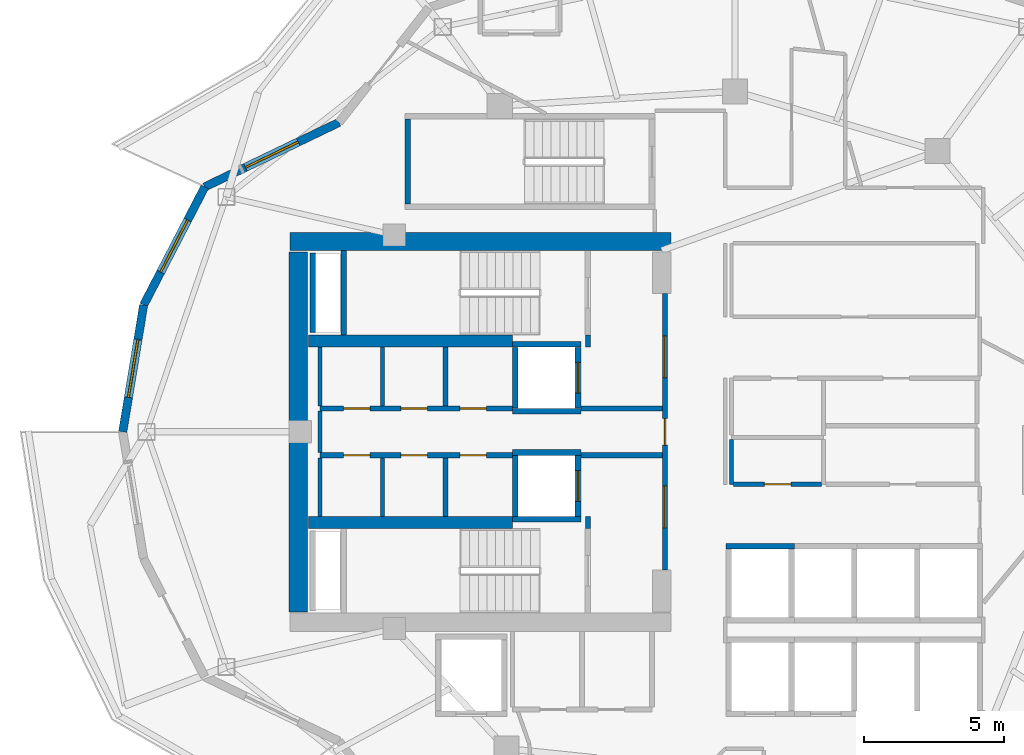
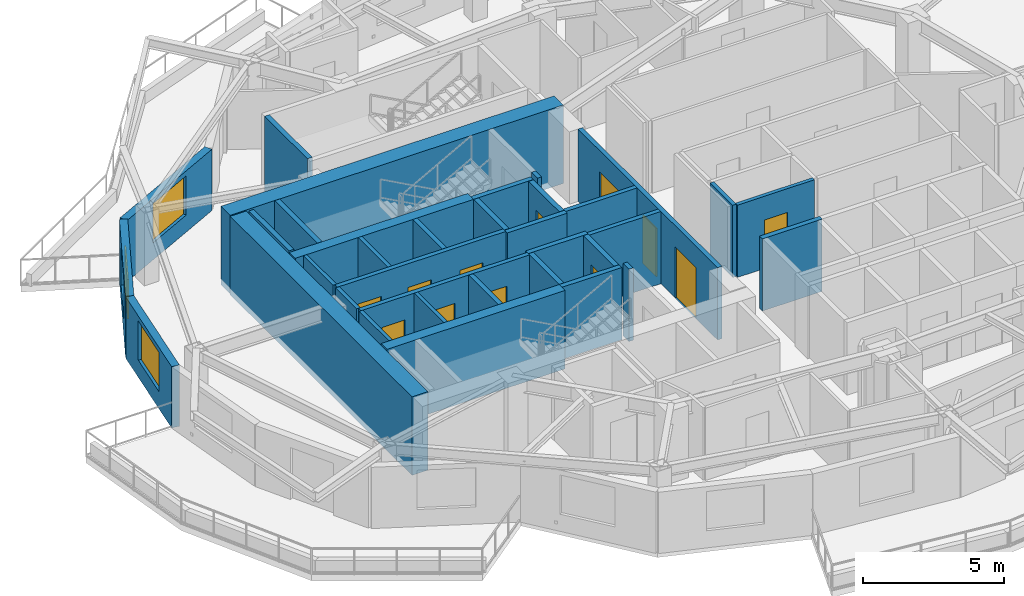
# One storey, part 4 of 14: 35 walls, 12 doors, 3 windows, 15 openings.
"""IFC4 building model written with IfcOpenShell, lengths in metres."""

import ifcopenshell
import ifcopenshell.guid

model = None  # the IFC model being written
_history = None  # IfcOwnerHistory: only IFC2X3 demands one
_inside = {}  # id of a spatial element -> (the spatial element, [elements in it])
_under = {}  # id of a project, library or spatial element -> (it, [spatial elements below it])
_declared = {}  # id of a project -> (the project, [libraries it declares])
_typed = {}  # id of a type object -> (the type object, [elements of that type])
_made_of = {}  # id of a material, layer set ... -> (it, [elements and type objects made of it])


def new_model(schema):
    """Start an empty IFC model of exactly this schema.

    Asked for "IFC4X3", IfcOpenShell would pick the latest addendum, in which some entities
    have other attributes; the version numbers below select the first issue.
    IFC2X3 requires an IfcOwnerHistory on every rooted entity: one is made here for all.
    """
    global model, _history
    if schema == "IFC4X3":
        model = ifcopenshell.file(schema_version=(4, 3, 0, 0))
    else:
        model = ifcopenshell.file(schema=schema)
    _inside.clear()
    _under.clear()
    _declared.clear()
    _typed.clear()
    _made_of.clear()
    _history = None
    if model.schema == "IFC2X3":
        org = make("IfcOrganization", Name="unknown")
        user = make(
            "IfcPersonAndOrganization",
            ThePerson=make("IfcPerson", FamilyName="unknown"),
            TheOrganization=org,
        )
        app = make(
            "IfcApplication",
            ApplicationDeveloper=org,
            Version="unknown",
            ApplicationFullName="unknown",
            ApplicationIdentifier="unknown",
        )
        _history = make(
            "IfcOwnerHistory",
            OwningUser=user,
            OwningApplication=app,
            ChangeAction="ADDED",
            CreationDate=0,
        )
    return model


def make(cls, **values):
    """One entity of the class cls with the attributes given. An attribute that is None is left unset."""
    return model.create_entity(
        cls, **{name: value for name, value in values.items() if value is not None}
    )


def rooted(cls, **values):
    """An entity with a GlobalId (a new one), such as an element, a storey or a relation."""
    return make(cls, GlobalId=ifcopenshell.guid.new(), OwnerHistory=_history, **values)


def si_unit(unit_type, name, prefix=None):
    """IfcSIUnit, for example si_unit("LENGTHUNIT", "METRE", prefix="MILLI")."""
    return make("IfcSIUnit", UnitType=unit_type, Prefix=prefix, Name=name)


def assignment(units):
    """IfcUnitAssignment: the units of a project."""
    return None if units is None else make("IfcUnitAssignment", Units=units)


def point(xyz):
    """IfcCartesianPoint."""
    return None if xyz is None else make("IfcCartesianPoint", Coordinates=xyz)


def direction(xyz):
    """IfcDirection."""
    return None if xyz is None else make("IfcDirection", DirectionRatios=xyz)


def frame(location, z_axis=None, x_axis=None):
    """IfcAxis2Placement3D, a coordinate frame: its origin and axes. An axis left out is left unset."""
    return make(
        "IfcAxis2Placement3D",
        Location=point(location),
        Axis=direction(z_axis),
        RefDirection=direction(x_axis),
    )


def frame_2d(location, x_axis=None):
    """IfcAxis2Placement2D, a coordinate frame in the plane: its origin and x axis."""
    return make(
        "IfcAxis2Placement2D", Location=point(location), RefDirection=direction(x_axis)
    )


def origin():
    """The frame at (0, 0, 0) with its axes left unset."""
    return frame((0.0, 0.0, 0.0))


def place(relative_to, where):
    """IfcLocalPlacement: puts the frame where relative to a parent placement (None: the world)."""
    return make(
        "IfcLocalPlacement", PlacementRelTo=relative_to, RelativePlacement=where
    )


def context(
    kind, dimensions, precision=None, world=None, true_north=None, identifier=None
):
    """IfcGeometricRepresentationContext, for example the 3D "Model" context."""
    return make(
        "IfcGeometricRepresentationContext",
        ContextIdentifier=identifier,
        ContextType=kind,
        CoordinateSpaceDimension=dimensions,
        Precision=precision,
        WorldCoordinateSystem=world,
        TrueNorth=true_north,
    )


def subcontext(parent, identifier, kind, view, scale=None):
    """IfcGeometricRepresentationSubContext, for example "Body" below "Model"."""
    return make(
        "IfcGeometricRepresentationSubContext",
        ContextIdentifier=identifier,
        ContextType=kind,
        ParentContext=parent,
        TargetScale=scale,
        TargetView=view,
    )


def project(units=None, contexts=None):
    """IfcProject with its units and contexts."""
    return rooted(
        "IfcProject",
        Name="project",
        RepresentationContexts=contexts,
        UnitsInContext=assignment(units),
    )


def spatial(cls, under=None, at=None, **own):
    """A site, building, storey or space (cls), placed at a placement, below another one or the project."""
    s = rooted(cls, ObjectPlacement=at, **own)
    if under is not None:
        _under.setdefault(under.id(), (under, []))[1].append(s)
    return s


def profile(cls, at=None, kind="AREA", **sizes):
    """A parametric profile (cls). Its sizes go by their IFC names, for example OverallWidth=200.0."""
    return make(cls, ProfileType=kind, Position=at, **sizes)


def rectangle(**sizes):
    """IfcRectangleProfileDef."""
    return profile("IfcRectangleProfileDef", **sizes)


def extrude(swept, where, along, depth):
    """IfcExtrudedAreaSolid: the profile swept, set in the frame where, extruded along a direction by depth."""
    return make(
        "IfcExtrudedAreaSolid",
        SweptArea=swept,
        Position=where,
        ExtrudedDirection=direction(along),
        Depth=depth,
    )


def shape(context_of_items, identifier, shape_type, items):
    """IfcShapeRepresentation: the items that make up one representation, for example the "Body"."""
    return make(
        "IfcShapeRepresentation",
        ContextOfItems=context_of_items,
        RepresentationIdentifier=identifier,
        RepresentationType=shape_type,
        Items=items,
    )


def material(Name=None, Category=None):
    """IfcMaterial."""
    return make("IfcMaterial", Name=Name, Category=Category)


def layer(
    of_material, thickness, ventilated=None, Name=None, Category=None, Priority=None
):
    """IfcMaterialLayer: one layer of a wall or slab, of a material (None: an air gap)."""
    return make(
        "IfcMaterialLayer",
        Material=of_material,
        LayerThickness=thickness,
        IsVentilated=ventilated,
        Name=Name,
        Category=Category,
        Priority=Priority,
    )


def layer_set(layers, Name=None):
    """IfcMaterialLayerSet."""
    return make("IfcMaterialLayerSet", MaterialLayers=layers, LayerSetName=Name)


def made_of(thing, what):
    """Note that an element or type object is made of a material, layer set ...; save() writes the relation."""
    if what is not None:
        _made_of.setdefault(what.id(), (what, []))[1].append(thing)
    return thing


def type_object(cls, material=None, **own):
    """A type object (cls), such as IfcWallType, which elements share."""
    return made_of(rooted(cls, **own), material)


def element(
    cls,
    number,
    at=None,
    inside=None,
    cuts=None,
    type_object=None,
    material=None,
    context=None,
    identifier="Body",
    shape_type=None,
    held_by="IfcProductDefinitionShape",
    body=None,
    shapes=None,
    **own,
):
    """One element of the class cls, such as IfcWall. Its Tag is "e" and its number.

    at: its placement. inside: the storey or other place that contains it. cuts: it is an
    opening in that element (IfcRelVoidsElement). A single representation is given by context,
    identifier, shape_type and body (its items); several are given by shapes. held_by: the class
    of the entity that holds the representations. save() writes the other relations.
    """
    e = rooted(cls, Tag="e%d" % number, ObjectPlacement=at, **own)
    if body is not None:
        shapes = [shape(context, identifier, shape_type, body)]
    if shapes is not None:
        e.Representation = make(held_by, Representations=shapes)
    if inside is not None:
        _inside.setdefault(inside.id(), (inside, []))[1].append(e)
    if cuts is not None:
        rooted(
            "IfcRelVoidsElement", RelatingBuildingElement=cuts, RelatedOpeningElement=e
        )
    if type_object is not None:
        _typed.setdefault(type_object.id(), (type_object, []))[1].append(e)
    return made_of(e, material)


def fill(opening, filler):
    """IfcRelFillsElement: the door or window that sits in an opening."""
    return rooted(
        "IfcRelFillsElement",
        RelatingOpeningElement=opening,
        RelatedBuildingElement=filler,
    )


def aggregate(whole, parts):
    """IfcRelAggregates: a whole, such as a stair, and the parts it consists of."""
    return rooted("IfcRelAggregates", RelatingObject=whole, RelatedObjects=parts)


def save(model, path):
    """Write the relations noted so far, then the file.

    IfcRelAggregates (storeys below a building ...), IfcRelContainedInSpatialStructure (elements
    in a storey), IfcRelDefinesByType, IfcRelAssociatesMaterial and IfcRelDeclares: one each for
    every whole, place, type object, material and project.
    """
    for whole, parts in _under.values():
        aggregate(whole, parts)
    for where, things in _inside.values():
        rooted(
            "IfcRelContainedInSpatialStructure",
            RelatedElements=things,
            RelatingStructure=where,
        )
    for kind, things in _typed.values():
        rooted("IfcRelDefinesByType", RelatedObjects=things, RelatingType=kind)
    for what, things in _made_of.values():
        rooted("IfcRelAssociatesMaterial", RelatedObjects=things, RelatingMaterial=what)
    for by, libraries in _declared.values():
        rooted("IfcRelDeclares", RelatingContext=by, RelatedDefinitions=libraries)
    model.write(path)


model = new_model("IFC4")

# Units and contexts
model_context = context("Model", 3, precision=1e-05, world=origin(), true_north=direction((0.0, 1.0)))
body_context = subcontext(model_context, "Body", "Model", "MODEL_VIEW")
ifc_project = project(units=[si_unit("LENGTHUNIT", "METRE"), si_unit("AREAUNIT", "SQUARE_METRE"), si_unit("VOLUMEUNIT", "CUBIC_METRE"), si_unit("PLANEANGLEUNIT", "RADIAN"), si_unit("MASSUNIT", "GRAM", prefix="KILO")], contexts=[model_context])

# Site, building, storey
site_placement = place(None, origin())
site = spatial("IfcSite", under=ifc_project, at=site_placement, CompositionType="ELEMENT")
building_placement = place(site_placement, origin())
building = spatial("IfcBuilding", under=site, at=building_placement, Name="Kolvaren Gate Tower and Convention Centre", CompositionType="ELEMENT")
storey_placement = place(building_placement, frame((0.0, 0.0, 173.300048828125)))
storey = spatial("IfcBuildingStorey", under=building, at=storey_placement, Name="L45", CompositionType="ELEMENT", Elevation=173.300048828125)

# Walls
ifc_material_1 = material(Name="Autoclaved Aerated Masonry Blockwork Class 4 (4.0 MPa)", Category="masonry")
ifc_layer_1 = layer(ifc_material_1, 0.179931640625)
ifc_layer_set_1 = layer_set([ifc_layer_1], Name="Autoclaved Aerated Masonry Blockwork Class 4 (4.0 MPa)")
wall_type_1 = type_object("IfcWallType", Name="ARCH-WL-COMP-180", PredefinedType="SOLIDWALL", material=ifc_layer_set_1)
for number, where, z_axis, x_axis, name in (
    (1, (24.85009765625, 23.5400390625, 0.0), (0.0, 0.0, 1.0), (0.0, 1.0, 0.0), "Interior Partition WL-L45-INT-001"),
    (2, (24.85009765625, 30.0400390625, 0.0), (0.0, 0.0, 1.0), (0.0, 1.0, 0.0), "Interior Partition WL-L45-INT-002"),
):
    element("IfcWall", number, at=place(storey_placement, frame(where, z_axis=z_axis, x_axis=x_axis)), inside=storey, type_object=wall_type_1, Name=name, PredefinedType="SOLIDWALL", context=body_context, shape_type="SweptSolid", body=[
        extrude(rectangle(XDim=0.419921875, YDim=0.179931640625, at=frame_2d((0.2099609375, 0.0))), origin(), (0.0, 0.0, 1.0), 3.1298828125),
    ])

# Wall, openings, doors
wall_1_placement = place(storey_placement, frame((27.6201171875, 22.050048828125, 0.0), z_axis=(0.0, 0.0, 1.0), x_axis=(0.0, 1.0, 0.0)))
wall_1 = element("IfcWall", 3, at=wall_1_placement, inside=storey, type_object=wall_type_1, Name="Interior Partition WL-L45-INT-003", PredefinedType="SOLIDWALL", context=body_context, shape_type="SweptSolid", body=[
    extrude(rectangle(XDim=9.89990234375, YDim=0.179931640625, at=frame_2d((4.949951171875, 0.0))), origin(), (0.0, 0.0, 1.0), 3.1298828125),
])
opening_1_placement = place(wall_1_placement, frame((4.47509765625, 0.0, 0.0)))
opening_1 = element("IfcOpeningElement", 4, at=opening_1_placement, cuts=wall_1, Name="Opening DR-01", PredefinedType="OPENING", context=body_context, shape_type="SweptSolid", body=[
    extrude(rectangle(XDim=0.949951171875, YDim=2.10009765625, at=frame_2d((0.47509765625, 1.050048828125))), frame((0.0, 0.099853515625, 0.0), z_axis=(0.0, -1.0, 0.0), x_axis=(1.0, 0.0, 0.0)), (0.0, 0.0, 1.0), 0.199951171875),
])
opening_2_placement = place(wall_1_placement, frame((6.889892578125, 0.0, 0.0)))
opening_2 = element("IfcOpeningElement", 5, at=opening_2_placement, cuts=wall_1, Name="Opening DL-01", PredefinedType="OPENING", context=body_context, shape_type="SweptSolid", body=[
    extrude(rectangle(XDim=1.5, YDim=2.199951171875, at=frame_2d((0.75, 1.10009765625))), frame((0.0, 0.099853515625, 0.0), z_axis=(0.0, -1.0, 0.0), x_axis=(1.0, 0.0, 0.0)), (0.0, 0.0, 1.0), 0.199951171875),
])
opening_3_placement = place(wall_1_placement, frame((1.510009765625, 0.0, 0.0)))
opening_3 = element("IfcOpeningElement", 6, at=opening_3_placement, cuts=wall_1, Name="Opening DL-01", PredefinedType="OPENING", context=body_context, shape_type="SweptSolid", body=[
    extrude(rectangle(XDim=1.5, YDim=2.199951171875, at=frame_2d((0.75, 1.10009765625))), frame((0.0, 0.099853515625, 0.0), z_axis=(0.0, -1.0, 0.0), x_axis=(1.0, 0.0, 0.0)), (0.0, 0.0, 1.0), 0.199951171875),
])
ifc_material_2 = material(Name="Painted Architectural Steelwork ASTM A500 Grade C 345 MPa", Category="steel")
door_type_1 = type_object("IfcDoorType", Name="ARCH-DR-LOBBY-1500", OperationType="DOUBLE_DOOR_SINGLE_SWING", PredefinedType="DOOR", material=ifc_material_2)
door_1_placement = place(opening_2_placement, origin())
door_1 = element("IfcDoor", 7, at=door_1_placement, inside=storey, type_object=door_type_1, Name="North Firefighting Stair and Lift Lobby Door", OperationType="DOUBLE_DOOR_SINGLE_SWING", OverallHeight=2.199951171875, OverallWidth=1.5, PredefinedType="DOOR", context=body_context, shape_type="SweptSolid", body=[
    extrude(rectangle(XDim=1.5, YDim=2.199951171875, at=frame_2d((0.75, 1.10009765625))), frame((0.0, 0.02490234375, 0.0), z_axis=(0.0, -1.0, 0.0), x_axis=(1.0, 0.0, 0.0)), (0.0, 0.0, 1.0), 0.050048828125),
])
fill(opening_2, door_1)
door_2_placement = place(opening_3_placement, origin())
door_2 = element("IfcDoor", 8, at=door_2_placement, inside=storey, type_object=door_type_1, Name="South Firefighting Stair and Lift Lobby Door", OperationType="DOUBLE_DOOR_SINGLE_SWING", OverallHeight=2.199951171875, OverallWidth=1.5, PredefinedType="DOOR", context=body_context, shape_type="SweptSolid", body=[
    extrude(rectangle(XDim=1.5, YDim=2.199951171875, at=frame_2d((0.75, 1.10009765625))), frame((0.0, 0.02490234375, 0.0), z_axis=(0.0, -1.0, 0.0), x_axis=(1.0, 0.0, 0.0)), (0.0, 0.0, 1.0), 0.050048828125),
])
fill(opening_3, door_2)
door_type_2 = type_object("IfcDoorType", Name="ARCH-DR-RISER-950", OperationType="SINGLE_SWING_RIGHT", PredefinedType="DOOR", material=ifc_material_2)
door_3_placement = place(opening_1_placement, origin())
door_3 = element("IfcDoor", 9, at=door_3_placement, inside=storey, type_object=door_type_2, Name="Central MEP Service Corridor Door", OperationType="SINGLE_SWING_LEFT", OverallHeight=2.10009765625, OverallWidth=0.949951171875, PredefinedType="DOOR", context=body_context, shape_type="SweptSolid", body=[
    extrude(rectangle(XDim=0.949951171875, YDim=2.10009765625, at=frame_2d((0.47509765625, 1.050048828125))), frame((0.0, 0.02490234375, 0.0), z_axis=(0.0, -1.0, 0.0), x_axis=(1.0, 0.0, 0.0)), (0.0, 0.0, 1.0), 0.050048828125),
])
fill(opening_1, door_3)

wall_2_placement = place(storey_placement, frame((15.25, 27.840087890625, 0.0), z_axis=(0.0, 0.0, 1.0), x_axis=(1.0, 0.0, 0.0)))
wall_2 = element("IfcWall", 10, at=wall_2_placement, inside=storey, type_object=wall_type_1, Name="Interior Partition WL-L45-INT-004", PredefinedType="SOLIDWALL", context=body_context, shape_type="SweptSolid", body=[
    extrude(rectangle(XDim=6.89990234375, YDim=0.179931640625, at=frame_2d((3.449951171875, 0.0))), origin(), (0.0, 0.0, 1.0), 3.1298828125),
])
opening_4_placement = place(wall_2_placement, frame((5.02001953125, 0.0, 0.0)))
opening_4 = element("IfcOpeningElement", 11, at=opening_4_placement, cuts=wall_2, Name="Opening DR-01", PredefinedType="OPENING", context=body_context, shape_type="SweptSolid", body=[
    extrude(rectangle(XDim=0.949951171875, YDim=2.10009765625, at=frame_2d((0.47509765625, 1.050048828125))), frame((0.0, 0.099853515625, 0.0), z_axis=(0.0, -1.0, 0.0), x_axis=(1.0, 0.0, 0.0)), (0.0, 0.0, 1.0), 0.199951171875),
])
opening_5_placement = place(wall_2_placement, frame((0.85498046875, 0.0, 0.0)))
opening_5 = element("IfcOpeningElement", 12, at=opening_5_placement, cuts=wall_2, Name="Opening DR-01", PredefinedType="OPENING", context=body_context, shape_type="SweptSolid", body=[
    extrude(rectangle(XDim=0.949951171875, YDim=2.10009765625, at=frame_2d((0.47509765625, 1.050048828125))), frame((0.0, 0.099853515625, 0.0), z_axis=(0.0, -1.0, 0.0), x_axis=(1.0, 0.0, 0.0)), (0.0, 0.0, 1.0), 0.199951171875),
])
opening_6_placement = place(wall_2_placement, frame((2.89990234375, 0.0, 0.0)))
opening_6 = element("IfcOpeningElement", 13, at=opening_6_placement, cuts=wall_2, Name="Opening DR-01", PredefinedType="OPENING", context=body_context, shape_type="SweptSolid", body=[
    extrude(rectangle(XDim=0.949951171875, YDim=2.10009765625, at=frame_2d((0.47509765625, 1.050048828125))), frame((0.0, 0.099853515625, 0.0), z_axis=(0.0, -1.0, 0.0), x_axis=(1.0, 0.0, 0.0)), (0.0, 0.0, 1.0), 0.199951171875),
])
door_4_placement = place(opening_4_placement, origin())
door_4 = element("IfcDoor", 14, at=door_4_placement, inside=storey, type_object=door_type_2, Name="Electrical Switchgear Closet Door", OperationType="SINGLE_SWING_RIGHT", OverallHeight=2.10009765625, OverallWidth=0.949951171875, PredefinedType="DOOR", context=body_context, shape_type="SweptSolid", body=[
    extrude(rectangle(XDim=0.949951171875, YDim=2.10009765625, at=frame_2d((0.47509765625, 1.050048828125))), frame((0.0, 0.02490234375, 0.0), z_axis=(0.0, -1.0, 0.0), x_axis=(1.0, 0.0, 0.0)), (0.0, 0.0, 1.0), 0.050048828125),
])
fill(opening_4, door_4)
door_5_placement = place(opening_5_placement, origin())
door_5 = element("IfcDoor", 15, at=door_5_placement, inside=storey, type_object=door_type_2, Name="Staff Accessible WC Door", OperationType="SINGLE_SWING_RIGHT", OverallHeight=2.10009765625, OverallWidth=0.949951171875, PredefinedType="DOOR", context=body_context, shape_type="SweptSolid", body=[
    extrude(rectangle(XDim=0.949951171875, YDim=2.10009765625, at=frame_2d((0.47509765625, 1.050048828125))), frame((0.0, 0.02490234375, 0.0), z_axis=(0.0, -1.0, 0.0), x_axis=(1.0, 0.0, 0.0)), (0.0, 0.0, 1.0), 0.050048828125),
])
fill(opening_5, door_5)
door_6_placement = place(opening_6_placement, origin())
door_6 = element("IfcDoor", 16, at=door_6_placement, inside=storey, type_object=door_type_2, Name="Housekeeping Sink Closet Door", OperationType="SINGLE_SWING_LEFT", OverallHeight=2.10009765625, OverallWidth=0.949951171875, PredefinedType="DOOR", context=body_context, shape_type="SweptSolid", body=[
    extrude(rectangle(XDim=0.949951171875, YDim=2.10009765625, at=frame_2d((0.47509765625, 1.050048828125))), frame((0.0, 0.02490234375, 0.0), z_axis=(0.0, -1.0, 0.0), x_axis=(1.0, 0.0, 0.0)), (0.0, 0.0, 1.0), 0.050048828125),
])
fill(opening_6, door_6)

# Wall
wall_3_placement = place(storey_placement, frame((24.60009765625, 27.840087890625, 0.0), z_axis=(0.0, 0.0, 1.0), x_axis=(1.0, 0.0, 0.0)))
element("IfcWall", 17, at=wall_3_placement, inside=storey, type_object=wall_type_1, Name="Interior Partition WL-L45-INT-004 (2)", PredefinedType="SOLIDWALL", context=body_context, shape_type="SweptSolid", body=[
    extrude(rectangle(XDim=2.927978515625, YDim=0.179931640625, at=frame_2d((1.4638671875, 0.0))), origin(), (0.0, 0.0, 1.0), 3.1298828125),
])

# Wall, openings, doors
wall_4_placement = place(storey_placement, frame((15.25, 26.159912109375, 0.0), z_axis=(0.0, 0.0, 1.0), x_axis=(1.0, 0.0, 0.0)))
wall_4 = element("IfcWall", 18, at=wall_4_placement, inside=storey, type_object=wall_type_1, Name="Interior Partition WL-L45-INT-005", PredefinedType="SOLIDWALL", context=body_context, shape_type="SweptSolid", body=[
    extrude(rectangle(XDim=6.89990234375, YDim=0.179931640625, at=frame_2d((3.449951171875, 0.0))), origin(), (0.0, 0.0, 1.0), 3.1298828125),
])
opening_7_placement = place(wall_4_placement, frame((5.02001953125, 0.0, 0.0)))
opening_7 = element("IfcOpeningElement", 19, at=opening_7_placement, cuts=wall_4, Name="Opening DR-01", PredefinedType="OPENING", context=body_context, shape_type="SweptSolid", body=[
    extrude(rectangle(XDim=0.949951171875, YDim=2.10009765625, at=frame_2d((0.47509765625, 1.050048828125))), frame((0.0, 0.099853515625, 0.0), z_axis=(0.0, -1.0, 0.0), x_axis=(1.0, 0.0, 0.0)), (0.0, 0.0, 1.0), 0.199951171875),
])
opening_8_placement = place(wall_4_placement, frame((0.85498046875, 0.0, 0.0)))
opening_8 = element("IfcOpeningElement", 20, at=opening_8_placement, cuts=wall_4, Name="Opening DR-01", PredefinedType="OPENING", context=body_context, shape_type="SweptSolid", body=[
    extrude(rectangle(XDim=0.949951171875, YDim=2.10009765625, at=frame_2d((0.47509765625, 1.050048828125))), frame((0.0, 0.099853515625, 0.0), z_axis=(0.0, -1.0, 0.0), x_axis=(1.0, 0.0, 0.0)), (0.0, 0.0, 1.0), 0.199951171875),
])
opening_9_placement = place(wall_4_placement, frame((2.89990234375, 0.0, 0.0)))
opening_9 = element("IfcOpeningElement", 21, at=opening_9_placement, cuts=wall_4, Name="Opening DR-01", PredefinedType="OPENING", context=body_context, shape_type="SweptSolid", body=[
    extrude(rectangle(XDim=0.949951171875, YDim=2.10009765625, at=frame_2d((0.47509765625, 1.050048828125))), frame((0.0, 0.099853515625, 0.0), z_axis=(0.0, -1.0, 0.0), x_axis=(1.0, 0.0, 0.0)), (0.0, 0.0, 1.0), 0.199951171875),
])
door_7_placement = place(opening_7_placement, origin())
door_7 = element("IfcDoor", 22, at=door_7_placement, inside=storey, type_object=door_type_2, Name="Domestic Water Meter Closet Door", OperationType="SINGLE_SWING_LEFT", OverallHeight=2.10009765625, OverallWidth=0.949951171875, PredefinedType="DOOR", context=body_context, shape_type="SweptSolid", body=[
    extrude(rectangle(XDim=0.949951171875, YDim=2.10009765625, at=frame_2d((0.47509765625, 1.050048828125))), frame((0.0, 0.02490234375, 0.0), z_axis=(0.0, -1.0, 0.0), x_axis=(1.0, 0.0, 0.0)), (0.0, 0.0, 1.0), 0.050048828125),
])
fill(opening_7, door_7)
door_8_placement = place(opening_8_placement, origin())
door_8 = element("IfcDoor", 23, at=door_8_placement, inside=storey, type_object=door_type_2, Name="Beverage Service Pantry Door", OperationType="SINGLE_SWING_RIGHT", OverallHeight=2.10009765625, OverallWidth=0.949951171875, PredefinedType="DOOR", context=body_context, shape_type="SweptSolid", body=[
    extrude(rectangle(XDim=0.949951171875, YDim=2.10009765625, at=frame_2d((0.47509765625, 1.050048828125))), frame((0.0, 0.02490234375, 0.0), z_axis=(0.0, -1.0, 0.0), x_axis=(1.0, 0.0, 0.0)), (0.0, 0.0, 1.0), 0.050048828125),
])
fill(opening_8, door_8)
door_9_placement = place(opening_9_placement, origin())
door_9 = element("IfcDoor", 24, at=door_9_placement, inside=storey, type_object=door_type_2, Name="Archive Supply Closet Door", OperationType="SINGLE_SWING_LEFT", OverallHeight=2.10009765625, OverallWidth=0.949951171875, PredefinedType="DOOR", context=body_context, shape_type="SweptSolid", body=[
    extrude(rectangle(XDim=0.949951171875, YDim=2.10009765625, at=frame_2d((0.47509765625, 1.050048828125))), frame((0.0, 0.02490234375, 0.0), z_axis=(0.0, -1.0, 0.0), x_axis=(1.0, 0.0, 0.0)), (0.0, 0.0, 1.0), 0.050048828125),
])
fill(opening_9, door_9)

# Walls
wall_5_placement = place(storey_placement, frame((24.60009765625, 26.159912109375, 0.0), z_axis=(0.0, 0.0, 1.0), x_axis=(1.0, 0.0, 0.0)))
element("IfcWall", 25, at=wall_5_placement, inside=storey, type_object=wall_type_1, Name="Interior Partition WL-L45-INT-005 (2)", PredefinedType="SOLIDWALL", context=body_context, shape_type="SweptSolid", body=[
    extrude(rectangle(XDim=2.927978515625, YDim=0.179931640625, at=frame_2d((1.4638671875, 0.0))), origin(), (0.0, 0.0, 1.0), 3.1298828125),
])
for number, where, z_axis, x_axis, name in (
    (26, (19.75, 23.9619140625, 0.0), (0.0, 0.0, 1.0), (0.0, 1.0, 0.0), "Interior Partition WL-L45-INT-007"),
    (27, (19.75, 27.931884765625, 0.0), (0.0, 0.0, 1.0), (0.0, 1.0, 0.0), "Interior Partition WL-L45-INT-008"),
):
    element("IfcWall", number, at=place(storey_placement, frame(where, z_axis=z_axis, x_axis=x_axis)), inside=storey, type_object=wall_type_1, Name=name, PredefinedType="SOLIDWALL", context=body_context, shape_type="SweptSolid", body=[
        extrude(rectangle(XDim=2.106201171875, YDim=0.179931640625, at=frame_2d((1.05322265625, 0.0))), origin(), (0.0, 0.0, 1.0), 3.1298828125),
    ])
ifc_layer_2 = layer(ifc_material_1, 0.199951171875)
ifc_layer_set_2 = layer_set([ifc_layer_2], Name="Autoclaved Aerated Masonry Blockwork Class 4 (4.0 MPa)")
wall_type_2 = type_object("IfcWallType", Name="ARCH-WL-SHAFT-200", PredefinedType="SOLIDWALL", material=ifc_layer_set_2)
for number, where, z_axis, x_axis, name in (
    (28, (22.14990234375, 30.139892578125, 0.0), (0.0, 0.0, 1.0), (1.0, 0.0, 0.0), "Elevator FF-01 L45 Fire Shaft Wall N"),
    (29, (22.14990234375, 27.739990234375, 0.0), (0.0, 0.0, 1.0), (1.0, 0.0, 0.0), "Elevator FF-01 L45 Fire Shaft Wall S"),
):
    element("IfcWall", number, at=place(storey_placement, frame(where, z_axis=z_axis, x_axis=x_axis)), inside=storey, type_object=wall_type_2, Name=name, PredefinedType="SOLIDWALL", context=body_context, shape_type="SweptSolid", body=[
        extrude(rectangle(XDim=2.4501953125, YDim=0.199951171875, at=frame_2d((1.22509765625, 0.0))), origin(), (0.0, 0.0, 1.0), 3.1298828125),
    ])
wall_6_placement = place(storey_placement, frame((22.25, 27.85009765625, 0.0), z_axis=(0.0, 0.0, 1.0), x_axis=(0.0, 1.0, 0.0)))
element("IfcWall", 30, at=wall_6_placement, inside=storey, type_object=wall_type_2, Name="Elevator FF-01 L45 Fire Shaft Wall W", PredefinedType="SOLIDWALL", context=body_context, shape_type="SweptSolid", body=[
    extrude(rectangle(XDim=2.179931640625, YDim=0.199951171875, at=frame_2d((1.08984375, 0.0))), origin(), (0.0, 0.0, 1.0), 3.1298828125),
])

# Wall, opening, door
wall_7_placement = place(storey_placement, frame((24.5, 27.85009765625, 0.0), z_axis=(0.0, 0.0, 1.0), x_axis=(0.0, 1.0, 0.0)))
wall_7 = element("IfcWall", 31, at=wall_7_placement, inside=storey, type_object=wall_type_2, Name="Elevator FF-01 L45 Fire Shaft Wall E", PredefinedType="SOLIDWALL", context=body_context, shape_type="SweptSolid", body=[
    extrude(rectangle(XDim=2.179931640625, YDim=0.199951171875, at=frame_2d((1.08984375, 0.0))), origin(), (0.0, 0.0, 1.0), 3.1298828125),
])
opening_10_placement = place(wall_7_placement, frame((0.5400390625, 0.0, 0.0)))
opening_10 = element("IfcOpeningElement", 32, at=opening_10_placement, cuts=wall_7, Name="Opening LD", PredefinedType="OPENING", context=body_context, shape_type="SweptSolid", body=[
    extrude(rectangle(XDim=1.10009765625, YDim=2.199951171875, at=frame_2d((0.550048828125, 1.10009765625))), frame((0.0, 0.10986328125, 0.0), z_axis=(0.0, -1.0, 0.0), x_axis=(1.0, 0.0, 0.0)), (0.0, 0.0, 1.0), 0.219970703125),
])
ifc_material_3 = material(Name="Brushed Stainless Steel Grade 316L", Category="steel")
door_type_3 = type_object("IfcDoorType", Name="ARCH-DR-LIFT-1100", OperationType="SLIDING_TO_LEFT", PredefinedType="DOOR", material=ifc_material_3)
door_10_placement = place(opening_10_placement, origin())
door_10 = element("IfcDoor", 33, at=door_10_placement, inside=storey, type_object=door_type_3, Name="Elevator FF-01 L45 Sliding Landing Door", OperationType="SLIDING_TO_LEFT", OverallHeight=2.199951171875, OverallWidth=1.10009765625, PredefinedType="DOOR", context=body_context, shape_type="SweptSolid", body=[
    extrude(rectangle(XDim=1.10009765625, YDim=2.199951171875, at=frame_2d((0.550048828125, 1.10009765625))), frame((0.0, 0.02490234375, 0.0), z_axis=(0.0, -1.0, 0.0), x_axis=(1.0, 0.0, 0.0)), (0.0, 0.0, 1.0), 0.050048828125),
])
fill(opening_10, door_10)

# Walls
for number, where, z_axis, x_axis, name in (
    (34, (22.14990234375, 26.260009765625, 0.0), (0.0, 0.0, 1.0), (1.0, 0.0, 0.0), "Elevator FF-02 L45 Fire Shaft Wall N"),
    (35, (22.14990234375, 23.860107421875, 0.0), (0.0, 0.0, 1.0), (1.0, 0.0, 0.0), "Elevator FF-02 L45 Fire Shaft Wall S"),
):
    element("IfcWall", number, at=place(storey_placement, frame(where, z_axis=z_axis, x_axis=x_axis)), inside=storey, type_object=wall_type_2, Name=name, PredefinedType="SOLIDWALL", context=body_context, shape_type="SweptSolid", body=[
        extrude(rectangle(XDim=2.4501953125, YDim=0.199951171875, at=frame_2d((1.22509765625, 0.0))), origin(), (0.0, 0.0, 1.0), 3.1298828125),
    ])
wall_8_placement = place(storey_placement, frame((22.25, 23.969970703125, 0.0), z_axis=(0.0, 0.0, 1.0), x_axis=(0.0, 1.0, 0.0)))
element("IfcWall", 36, at=wall_8_placement, inside=storey, type_object=wall_type_2, Name="Elevator FF-02 L45 Fire Shaft Wall W", PredefinedType="SOLIDWALL", context=body_context, shape_type="SweptSolid", body=[
    extrude(rectangle(XDim=2.179931640625, YDim=0.199951171875, at=frame_2d((1.08984375, 0.0))), origin(), (0.0, 0.0, 1.0), 3.1298828125),
])

# Wall, opening, door
wall_9_placement = place(storey_placement, frame((24.5, 23.969970703125, 0.0), z_axis=(0.0, 0.0, 1.0), x_axis=(0.0, 1.0, 0.0)))
wall_9 = element("IfcWall", 37, at=wall_9_placement, inside=storey, type_object=wall_type_2, Name="Elevator FF-02 L45 Fire Shaft Wall E", PredefinedType="SOLIDWALL", context=body_context, shape_type="SweptSolid", body=[
    extrude(rectangle(XDim=2.179931640625, YDim=0.199951171875, at=frame_2d((1.08984375, 0.0))), origin(), (0.0, 0.0, 1.0), 3.1298828125),
])
opening_11_placement = place(wall_9_placement, frame((0.5400390625, 0.0, 0.0)))
opening_11 = element("IfcOpeningElement", 38, at=opening_11_placement, cuts=wall_9, Name="Opening LD", PredefinedType="OPENING", context=body_context, shape_type="SweptSolid", body=[
    extrude(rectangle(XDim=1.10009765625, YDim=2.199951171875, at=frame_2d((0.550048828125, 1.10009765625))), frame((0.0, 0.10986328125, 0.0), z_axis=(0.0, -1.0, 0.0), x_axis=(1.0, 0.0, 0.0)), (0.0, 0.0, 1.0), 0.219970703125),
])
door_11_placement = place(opening_11_placement, origin())
door_11 = element("IfcDoor", 39, at=door_11_placement, inside=storey, type_object=door_type_3, Name="Elevator FF-02 L45 Sliding Landing Door", OperationType="SLIDING_TO_LEFT", OverallHeight=2.199951171875, OverallWidth=1.10009765625, PredefinedType="DOOR", context=body_context, shape_type="SweptSolid", body=[
    extrude(rectangle(XDim=1.10009765625, YDim=2.199951171875, at=frame_2d((0.550048828125, 1.10009765625))), frame((0.0, 0.02490234375, 0.0), z_axis=(0.0, -1.0, 0.0), x_axis=(1.0, 0.0, 0.0)), (0.0, 0.0, 1.0), 0.050048828125),
])
fill(opening_11, door_11)

# Walls
wall_10_placement = place(storey_placement, frame((29.800048828125, 22.89990234375, 0.0), z_axis=(0.0, 0.0, 1.0), x_axis=(1.0, 0.0, 0.0)))
element("IfcWall", 40, at=wall_10_placement, inside=storey, type_object=wall_type_2, Name="Elevator PL-09 L45 Fire Shaft Wall N", PredefinedType="SOLIDWALL", context=body_context, shape_type="SweptSolid", body=[
    extrude(rectangle(XDim=2.449951171875, YDim=0.199951171875, at=frame_2d((1.22509765625, 0.0))), origin(), (0.0, 0.0, 1.0), 3.1298828125),
])
wall_11_placement = place(storey_placement, frame((14.989990234375, 30.550048828125, 0.0), z_axis=(0.0, 0.0, 1.0), x_axis=(0.0, 1.0, 0.0)))
element("IfcWall", 41, at=wall_11_placement, inside=storey, type_object=wall_type_2, Name="Vertical Shaft HVR L45 EI-120 Enclosure Wall W", PredefinedType="SOLIDWALL", context=body_context, shape_type="SweptSolid", body=[
    extrude(rectangle(XDim=2.849853515625, YDim=0.199951171875, at=frame_2d((1.4248046875, 0.0))), origin(), (0.0, 0.0, 1.0), 3.1298828125),
])

# Wall, opening, window
ifc_material_4 = material(Name="Piedmont Cream Honed Limestone Cladding", Category="masonry")
ifc_layer_3 = layer(ifc_material_4, 0.300048828125)
ifc_layer_set_3 = layer_set([ifc_layer_3], Name="Piedmont Cream Honed Limestone Cladding")
wall_type_3 = type_object("IfcWallType", Name="ARCH-WL-STONE-300", PredefinedType="SOLIDWALL", material=ifc_layer_set_3)
wall_12_placement = place(storey_placement, frame((11.126708984375, 35.77490234375, 0.0), z_axis=(0.0, 0.0, 1.0), x_axis=(0.901353070301, 0.433085029363, 0.0)))
wall_12 = element("IfcWall", 42, at=wall_12_placement, inside=storey, type_object=wall_type_3, Name="Tower L45 Honed Stone Spandrel Wall EW-09", PredefinedType="SOLIDWALL", context=body_context, shape_type="SweptSolid", body=[
    extrude(rectangle(XDim=5.336181640625, YDim=0.300048828125, at=frame_2d((2.66796875, 0.0))), origin(), (0.0, 0.0, 1.0), 2.65283203125),
])
opening_12_placement = place(wall_12_placement, frame((1.617919921875, 0.0, 0.739990234375)))
opening_12 = element("IfcOpeningElement", 43, at=opening_12_placement, cuts=wall_12, Name="Opening W-02", PredefinedType="OPENING", context=body_context, shape_type="SweptSolid", body=[
    extrude(rectangle(XDim=2.10009765625, YDim=1.699951171875, at=frame_2d((1.050048828125, 0.85009765625))), frame((0.0, 0.159912109375, 0.0), z_axis=(0.0, -1.0, 0.0), x_axis=(1.0, 0.0, 0.0)), (0.0, 0.0, 1.0), 0.320068359375),
])
ifc_material_5 = material(Name="Low-E Triple Insulated Glazing Unit 44 mm", Category="glass")
window_type = type_object("IfcWindowType", Name="ARCH-WN-HTL-2100", PartitioningType="SINGLE_PANEL", PredefinedType="WINDOW", material=ifc_material_5)
window_1_placement = place(opening_12_placement, origin())
window_1 = element("IfcWindow", 44, at=window_1_placement, inside=storey, type_object=window_type, Name="Tower L45 Punched Stone Facade Window W-09", OverallHeight=1.699951171875, OverallWidth=2.10009765625, PartitioningType="SINGLE_PANEL", PredefinedType="WINDOW", context=body_context, shape_type="SweptSolid", body=[
    extrude(rectangle(XDim=2.10009765625, YDim=1.699951171875, at=frame_2d((1.050048828125, 0.85009765625))), frame((0.0, 0.030029296875, 0.0), z_axis=(0.0, -1.0, 0.0), x_axis=(1.0, 0.0, 0.0)), (0.0, 0.0, 1.0), 0.06005859375),
])
fill(opening_12, window_1)

wall_13_placement = place(storey_placement, frame((8.93505859375, 31.542236328125, 0.0), z_axis=(0.0, 0.0, 1.0), x_axis=(0.459810251451, 0.888017191647, 0.0)))
wall_13 = element("IfcWall", 45, at=wall_13_placement, inside=storey, type_object=wall_type_3, Name="Tower L45 Honed Stone Spandrel Wall EW-10", PredefinedType="SOLIDWALL", context=body_context, shape_type="SweptSolid", body=[
    extrude(rectangle(XDim=4.766357421875, YDim=0.300048828125, at=frame_2d((2.38330078125, 0.0))), origin(), (0.0, 0.0, 1.0), 2.65283203125),
])
opening_13_placement = place(wall_13_placement, frame((1.3330078125, 0.0, 0.739990234375)))
opening_13 = element("IfcOpeningElement", 46, at=opening_13_placement, cuts=wall_13, Name="Opening W-02", PredefinedType="OPENING", context=body_context, shape_type="SweptSolid", body=[
    extrude(rectangle(XDim=2.10009765625, YDim=1.699951171875, at=frame_2d((1.050048828125, 0.85009765625))), frame((0.0, 0.159912109375, 0.0), z_axis=(0.0, -1.0, 0.0), x_axis=(1.0, 0.0, 0.0)), (0.0, 0.0, 1.0), 0.320068359375),
])
window_2_placement = place(opening_13_placement, origin())
window_2 = element("IfcWindow", 47, at=window_2_placement, inside=storey, type_object=window_type, Name="Tower L45 Punched Stone Facade Window W-10", OverallHeight=1.699951171875, OverallWidth=2.10009765625, PartitioningType="SINGLE_PANEL", PredefinedType="WINDOW", context=body_context, shape_type="SweptSolid", body=[
    extrude(rectangle(XDim=2.10009765625, YDim=1.699951171875, at=frame_2d((1.050048828125, 0.85009765625))), frame((0.0, 0.030029296875, 0.0), z_axis=(0.0, -1.0, 0.0), x_axis=(1.0, 0.0, 0.0)), (0.0, 0.0, 1.0), 0.06005859375),
])
fill(opening_13, window_2)

wall_14_placement = place(storey_placement, frame((8.1875, 27.0, 0.0), z_axis=(0.0, 0.0, 1.0), x_axis=(0.162394765401, 0.986725868806, 0.0)))
wall_14 = element("IfcWall", 48, at=wall_14_placement, inside=storey, type_object=wall_type_3, Name="Tower L45 Honed Stone Spandrel Wall EW-11", PredefinedType="SOLIDWALL", context=body_context, shape_type="SweptSolid", body=[
    extrude(rectangle(XDim=4.603271484375, YDim=0.300048828125, at=frame_2d((2.3017578125, 0.0))), origin(), (0.0, 0.0, 1.0), 2.65283203125),
])
opening_14_placement = place(wall_14_placement, frame((1.251953125, 0.0, 0.739990234375)))
opening_14 = element("IfcOpeningElement", 49, at=opening_14_placement, cuts=wall_14, Name="Opening W-02", PredefinedType="OPENING", context=body_context, shape_type="SweptSolid", body=[
    extrude(rectangle(XDim=2.10009765625, YDim=1.699951171875, at=frame_2d((1.050048828125, 0.85009765625))), frame((0.0, 0.159912109375, 0.0), z_axis=(0.0, -1.0, 0.0), x_axis=(1.0, 0.0, 0.0)), (0.0, 0.0, 1.0), 0.320068359375),
])
window_3_placement = place(opening_14_placement, origin())
window_3 = element("IfcWindow", 50, at=window_3_placement, inside=storey, type_object=window_type, Name="Tower L45 Punched Stone Facade Window W-11", OverallHeight=1.699951171875, OverallWidth=2.10009765625, PartitioningType="SINGLE_PANEL", PredefinedType="WINDOW", context=body_context, shape_type="SweptSolid", body=[
    extrude(rectangle(XDim=2.10009765625, YDim=1.699951171875, at=frame_2d((1.050048828125, 0.85009765625))), frame((0.0, 0.030029296875, 0.0), z_axis=(0.0, -1.0, 0.0), x_axis=(1.0, 0.0, 0.0)), (0.0, 0.0, 1.0), 0.06005859375),
])
fill(opening_14, window_3)

# Walls
ifc_material_6 = material(Name="Moisture-Resistant Cement-Board Acoustic Partition", Category="gypsum")
ifc_layer_4 = layer(ifc_material_6, 0.14990234375)
ifc_layer_set_4 = layer_set([ifc_layer_4], Name="Moisture-Resistant Cement-Board Acoustic Partition")
wall_type_4 = type_object("IfcWallType", Name="ARCH-WL-WET-150", PredefinedType="PARTITIONING", material=ifc_layer_set_4)
wall_15_placement = place(storey_placement, frame((15.25, 23.9619140625, 0.0), z_axis=(0.0, 0.0, 1.0), x_axis=(0.0, 1.0, 0.0)))
element("IfcWall", 51, at=wall_15_placement, inside=storey, type_object=wall_type_4, Name="Interior Partition WL-L45-INT-006", PredefinedType="PARTITIONING", context=body_context, shape_type="SweptSolid", body=[
    extrude(rectangle(XDim=2.106201171875, YDim=0.14990234375, at=frame_2d((1.05322265625, 0.0))), origin(), (0.0, 0.0, 1.0), 3.1298828125),
])
wall_16_placement = place(storey_placement, frame((15.25, 26.251953125, 0.0), z_axis=(0.0, 0.0, 1.0), x_axis=(0.0, 1.0, 0.0)))
element("IfcWall", 52, at=wall_16_placement, inside=storey, type_object=wall_type_4, Name="Interior Partition WL-L45-INT-006 (2)", PredefinedType="PARTITIONING", context=body_context, shape_type="SweptSolid", body=[
    extrude(rectangle(XDim=1.49609375, YDim=0.14990234375, at=frame_2d((0.748046875, 0.0))), origin(), (0.0, 0.0, 1.0), 3.1298828125),
])
for number, where, z_axis, x_axis, name in (
    (53, (15.25, 27.931884765625, 0.0), (0.0, 0.0, 1.0), (0.0, 1.0, 0.0), "Interior Partition WL-L45-INT-006 (3)"),
    (54, (17.5, 23.9619140625, 0.0), (0.0, 0.0, 1.0), (0.0, 1.0, 0.0), "Interior Partition WL-L45-INT-009"),
    (55, (17.5, 27.931884765625, 0.0), (0.0, 0.0, 1.0), (0.0, 1.0, 0.0), "Interior Partition WL-L45-INT-010"),
):
    element("IfcWall", number, at=place(storey_placement, frame(where, z_axis=z_axis, x_axis=x_axis)), inside=storey, type_object=wall_type_4, Name=name, PredefinedType="PARTITIONING", context=body_context, shape_type="SweptSolid", body=[
        extrude(rectangle(XDim=2.106201171875, YDim=0.14990234375, at=frame_2d((1.05322265625, 0.0))), origin(), (0.0, 0.0, 1.0), 3.1298828125),
    ])
wall_17_placement = place(storey_placement, frame((30.0, 25.1201171875, 0.0), z_axis=(0.0, 0.0, 1.0), x_axis=(0.0, 1.0, 0.0)))
element("IfcWall", 56, at=wall_17_placement, inside=storey, type_object=wall_type_4, Name="Interior Partition WL-L45-INT-017", PredefinedType="PARTITIONING", context=body_context, shape_type="SweptSolid", body=[
    extrude(rectangle(XDim=1.602783203125, YDim=0.14990234375, at=frame_2d((0.80126953125, 0.0))), origin(), (0.0, 0.0, 1.0), 3.1298828125),
])

# Wall, opening, door
wall_18_placement = place(storey_placement, frame((30.076904296875, 25.1201171875, 0.0), z_axis=(0.0, 0.0, 1.0), x_axis=(1.0, 0.0, 0.0)))
wall_18 = element("IfcWall", 57, at=wall_18_placement, inside=storey, type_object=wall_type_4, Name="Interior Partition WL-L45-INT-021", PredefinedType="PARTITIONING", context=body_context, shape_type="SweptSolid", body=[
    extrude(rectangle(XDim=3.14599609375, YDim=0.14990234375, at=frame_2d((1.572998046875, 0.0))), origin(), (0.0, 0.0, 1.0), 3.1298828125),
])
opening_15_placement = place(wall_18_placement, frame((1.097900390625, 0.0, 0.0)))
opening_15 = element("IfcOpeningElement", 58, at=opening_15_placement, cuts=wall_18, Name="Opening DR-01", PredefinedType="OPENING", context=body_context, shape_type="SweptSolid", body=[
    extrude(rectangle(XDim=0.949951171875, YDim=2.10009765625, at=frame_2d((0.47509765625, 1.050048828125))), frame((0.0, 0.0849609375, 0.0), z_axis=(0.0, -1.0, 0.0), x_axis=(1.0, 0.0, 0.0)), (0.0, 0.0, 1.0), 0.169921875),
])
door_12_placement = place(opening_15_placement, origin())
door_12 = element("IfcDoor", 59, at=door_12_placement, inside=storey, type_object=door_type_2, Name="South Visitor Washroom Door", OperationType="SINGLE_SWING_LEFT", OverallHeight=2.10009765625, OverallWidth=0.949951171875, PredefinedType="DOOR", context=body_context, shape_type="SweptSolid", body=[
    extrude(rectangle(XDim=0.949951171875, YDim=2.10009765625, at=frame_2d((0.47509765625, 1.050048828125))), frame((0.0, 0.02490234375, 0.0), z_axis=(0.0, -1.0, 0.0), x_axis=(1.0, 0.0, 0.0)), (0.0, 0.0, 1.0), 0.050048828125),
])
fill(opening_15, door_12)

# Walls
ifc_material_7 = material(Name="Concrete C50/60", Category="concrete")
ifc_layer_5 = layer(ifc_material_7, 0.419921875)
ifc_layer_set_5 = layer_set([ifc_layer_5], Name="Concrete C50/60")
wall_type_5 = type_object("IfcWallType", Name="STR-WL-CONV-420", PredefinedType="SHEAR", material=ifc_layer_set_5)
for number, where, z_axis, x_axis, name in (
    (60, (14.85009765625, 30.25, -0.27001953125), (0.0, 0.0, 1.0), (1.0, 0.0, 0.0), "Tower L45 Offset Core Shear Wall WN"),
    (61, (14.85009765625, 23.75, -0.27001953125), (0.0, 0.0, 1.0), (1.0, 0.0, 0.0), "Tower L45 Offset Core Shear Wall WS"),
):
    element("IfcWall", number, at=place(storey_placement, frame(where, z_axis=z_axis, x_axis=x_axis)), inside=storey, type_object=wall_type_5, Name=name, PredefinedType="SHEAR", context=body_context, shape_type="SweptSolid", body=[
        extrude(rectangle(XDim=7.2998046875, YDim=0.419921875, at=frame_2d((3.64990234375, 0.0))), origin(), (0.0, 0.0, 1.0), 3.39990234375),
    ])
ifc_material_8 = material(Name="Concrete C60/75", Category="concrete")
ifc_layer_6 = layer(ifc_material_8, 0.64990234375)
ifc_layer_set_6 = layer_set([ifc_layer_6], Name="Concrete C60/75")
wall_type_6 = type_object("IfcWallType", Name="STR-WL-CORE-650", PredefinedType="SHEAR", material=ifc_layer_set_6)
wall_19_placement = place(storey_placement, frame((14.175048828125, 33.824951171875, -0.27001953125), z_axis=(0.0, 0.0, 1.0), x_axis=(1.0, 0.0, 0.0)))
element("IfcWall", 62, at=wall_19_placement, inside=storey, type_object=wall_type_6, Name="Tower L45 Offset Core Shear Wall N", PredefinedType="SHEAR", context=body_context, shape_type="SweptSolid", body=[
    extrude(rectangle(XDim=13.64990234375, YDim=0.64990234375, at=frame_2d((6.824951171875, 0.0))), origin(), (0.0, 0.0, 1.0), 3.39990234375),
])
wall_20_placement = place(storey_placement, frame((14.47509765625, 20.550048828125, -0.27001953125), z_axis=(0.0, 0.0, 1.0), x_axis=(0.0, 1.0, 0.0)))
element("IfcWall", 63, at=wall_20_placement, inside=storey, type_object=wall_type_6, Name="Tower L45 Offset Core Shear Wall W", PredefinedType="SHEAR", context=body_context, shape_type="SweptSolid", body=[
    extrude(rectangle(XDim=12.89990234375, YDim=0.64990234375, at=frame_2d((6.449951171875, 0.0))), origin(), (0.0, 0.0, 1.0), 3.39990234375),
])
ifc_layer_7 = layer(ifc_material_7, 0.199951171875)
ifc_layer_set_7 = layer_set([ifc_layer_7], Name="Concrete C50/60")
wall_type_7 = type_object("IfcWallType", Name="STR-WL-SHAFT-200", PredefinedType="SHEAR", material=ifc_layer_set_7)
wall_21_placement = place(storey_placement, frame((16.10009765625, 30.4619140625, -0.27001953125), z_axis=(0.0, 0.0, 1.0), x_axis=(0.0, 1.0, 0.0)))
element("IfcWall", 64, at=wall_21_placement, inside=storey, type_object=wall_type_7, Name="Tower North Exit Stair ST-T1 L45 Structural Shear Enclosure Wall FAR", PredefinedType="SHEAR", context=body_context, shape_type="SweptSolid", body=[
    extrude(rectangle(XDim=3.0361328125, YDim=0.199951171875, at=frame_2d((1.51806640625, 0.0))), origin(), (0.0, 0.0, 1.0), 3.39990234375),
])
wall_22_placement = place(storey_placement, frame((18.39990234375, 35.159912109375, -0.27001953125), z_axis=(0.0, 0.0, 1.0), x_axis=(0.0, 1.0, 0.0)))
element("IfcWall", 65, at=wall_22_placement, inside=storey, type_object=wall_type_7, Name="Tower Mid-Zone Exit Stair ST-T3 L45 Structural Shear Enclosure Wall FAR", PredefinedType="SHEAR", context=body_context, shape_type="SweptSolid", body=[
    extrude(rectangle(XDim=3.0400390625, YDim=0.199951171875, at=frame_2d((1.52001953125, 0.0))), origin(), (0.0, 0.0, 1.0), 3.39990234375),
])

save(model, "model.ifc")
